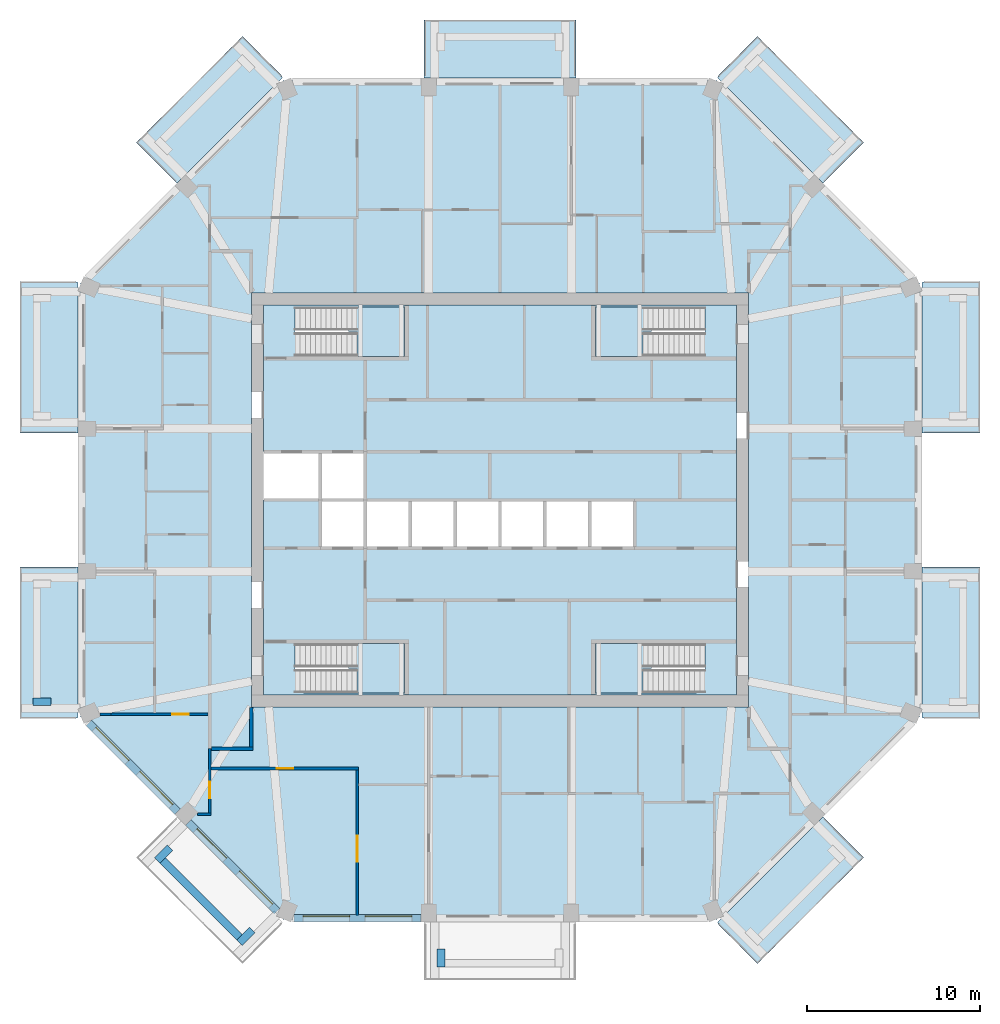
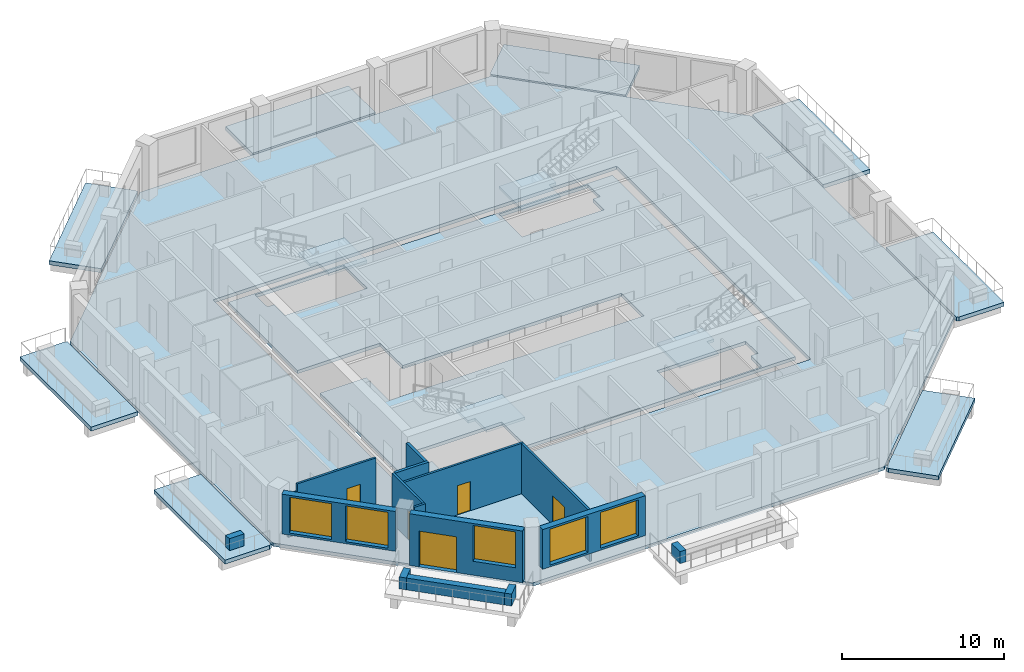
# One storey, part 2 of 12: 16 walls, 14 slabs, 5 doors, 5 windows, 10 openings, 4 elements without a shape of their own.
"""IFC4 building model written with IfcOpenShell, lengths in metres."""

from ifc_helpers import new_model, si_unit, direction, frame, frame_2d, origin, place, context, subcontext, project, spatial, polyline, rectangle, outline, extrude, material, layer, layer_set, type_object, element, fill, aggregate, save


model = new_model("IFC4")

# Units and contexts
model_context = context("Model", 3, precision=1e-05, world=origin(), true_north=direction((0.0, 1.0)))
body_context = subcontext(model_context, "Body", "Model", "MODEL_VIEW")
ifc_project = project(units=[si_unit("LENGTHUNIT", "METRE"), si_unit("AREAUNIT", "SQUARE_METRE"), si_unit("VOLUMEUNIT", "CUBIC_METRE"), si_unit("PLANEANGLEUNIT", "RADIAN"), si_unit("MASSUNIT", "GRAM", prefix="KILO")], contexts=[model_context])

# Site, building, storey
site_placement = place(None, origin())
site = spatial("IfcSite", under=ifc_project, at=site_placement, CompositionType="ELEMENT")
building_placement = place(site_placement, origin())
building = spatial("IfcBuilding", under=site, at=building_placement, Name="Msitu Wima Residences", CompositionType="ELEMENT")
storey_placement = place(building_placement, frame((0.0, 0.0, 200.10009765625)))
storey = spatial("IfcBuildingStorey", under=building, at=storey_placement, Name="L46", CompositionType="ELEMENT", Elevation=200.10009765625)

# Slabs
ifc_material_1 = material(Name="Concrete C40/50", Category="concrete")
ifc_layer_1 = layer(ifc_material_1, 0.300048828125)
ifc_layer_set_1 = layer_set([ifc_layer_1], Name="Concrete C40/50")
slab_type_1 = type_object("IfcSlabType", Name="Balcony slab BS300", PredefinedType="FLOOR", material=ifc_layer_set_1)
slab_1_placement = place(storey_placement, frame((0.0, 0.0, -0.300048828125)))
element("IfcSlab", 1, at=slab_1_placement, inside=storey, type_object=slab_type_1, Name="Balcony E0 L46", PredefinedType="FLOOR", context=body_context, shape_type="SweptSolid", body=[
    extrude(outline(polyline([(24.449951171875, -12.111083984375), (24.449951171875, -12.111083984375), (24.449951171875, -4.587158203125), (24.449951171875, -4.587158203125), (24.449951171875, -3.88720703125), (27.800048828125, -3.88720703125), (27.800048828125, -12.661865234375), (24.603515625, -12.661865234375), (24.449951171875, -12.59814453125), (24.449951171875, -12.111083984375), (24.449951171875, -12.111083984375)])), origin(), (0.0, 0.0, 1.0), 0.300048828125),
])
slab_2_placement = place(storey_placement, frame((0.0, 0.0, -0.300048828125)))
element("IfcSlab", 2, at=slab_2_placement, inside=storey, type_object=slab_type_1, Name="Balcony E2 L46", PredefinedType="FLOOR", context=body_context, shape_type="SweptSolid", body=[
    extrude(outline(polyline([(24.449951171875, 12.111083984375), (24.449951171875, 12.111083984375), (24.449951171875, 12.111083984375), (24.449951171875, 12.59814453125), (24.603515625, 12.661865234375), (27.800048828125, 12.661865234375), (27.800048828125, 3.88720703125), (24.449951171875, 3.88720703125), (24.449951171875, 4.587158203125), (24.449951171875, 12.111083984375)])), origin(), (0.0, 0.0, 1.0), 0.300048828125),
])
slab_3_placement = place(storey_placement, frame((0.0, 0.0, -0.300048828125)))
element("IfcSlab", 3, at=slab_3_placement, inside=storey, type_object=slab_type_1, Name="Balcony NE1 L46", PredefinedType="FLOOR", context=body_context, shape_type="SweptSolid", body=[
    extrude(outline(polyline([(12.942626953125, 24.10546875), (12.942626953125, 24.10546875), (12.59814453125, 24.449951171875), (12.661865234375, 24.603515625), (14.922119140625, 26.86376953125), (21.069580078125, 20.716064453125), (18.700927734375, 18.347412109375), (12.942626953125, 24.10546875), (12.942626953125, 24.10546875)])), origin(), (0.0, 0.0, 1.0), 0.300048828125),
])
slab_4_placement = place(storey_placement, frame((0.0, 0.0, -0.300048828125)))
element("IfcSlab", 4, at=slab_4_placement, inside=storey, type_object=slab_type_1, Name="Balcony N1 L46", PredefinedType="FLOOR", context=body_context, shape_type="SweptSolid", body=[
    extrude(outline(polyline([(3.687255859375, 24.449951171875), (-3.687255859375, 24.449951171875), (-4.38720703125, 24.449951171875), (-4.38720703125, 27.800048828125), (4.38720703125, 27.800048828125), (4.38720703125, 24.449951171875), (3.687255859375, 24.449951171875)])), origin(), (0.0, 0.0, 1.0), 0.300048828125),
])
slab_5_placement = place(storey_placement, frame((0.0, 0.0, -0.300048828125)))
element("IfcSlab", 5, at=slab_5_placement, inside=storey, type_object=slab_type_1, Name="Balcony NW0 L46", PredefinedType="FLOOR", context=body_context, shape_type="SweptSolid", body=[
    extrude(outline(polyline([(-12.942626953125, 24.10546875), (-12.942626953125, 24.10546875), (-18.700927734375, 18.347412109375), (-21.069580078125, 20.716064453125), (-14.922119140625, 26.86376953125), (-12.661865234375, 24.603515625), (-12.59814453125, 24.449951171875), (-12.942626953125, 24.10546875), (-12.942626953125, 24.10546875)])), origin(), (0.0, 0.0, 1.0), 0.300048828125),
])
slab_6_placement = place(storey_placement, frame((0.0, 0.0, -0.300048828125)))
element("IfcSlab", 6, at=slab_6_placement, inside=storey, type_object=slab_type_1, Name="Balcony W0 L46", PredefinedType="FLOOR", context=body_context, shape_type="SweptSolid", body=[
    extrude(outline(polyline([(-24.449951171875, 12.111083984375), (-24.449951171875, 12.111083984375), (-24.449951171875, 4.587158203125), (-24.449951171875, 3.88720703125), (-27.800048828125, 3.88720703125), (-27.800048828125, 12.661865234375), (-24.603515625, 12.661865234375), (-24.449951171875, 12.59814453125), (-24.449951171875, 12.111083984375), (-24.449951171875, 12.111083984375)])), origin(), (0.0, 0.0, 1.0), 0.300048828125),
])
slab_7_placement = place(storey_placement, frame((0.0, 0.0, -0.300048828125)))
element("IfcSlab", 7, at=slab_7_placement, inside=storey, type_object=slab_type_1, Name="Balcony W2 L46", PredefinedType="FLOOR", context=body_context, shape_type="SweptSolid", body=[
    extrude(outline(polyline([(-24.449951171875, -12.111083984375), (-24.449951171875, -12.111083984375), (-24.449951171875, -12.59814453125), (-24.603515625, -12.661865234375), (-27.800048828125, -12.661865234375), (-27.800048828125, -3.88720703125), (-24.449951171875, -3.88720703125), (-24.449951171875, -4.587158203125), (-24.449951171875, -4.587158203125), (-24.449951171875, -12.111083984375), (-24.449951171875, -12.111083984375)])), origin(), (0.0, 0.0, 1.0), 0.300048828125),
])
slab_8_placement = place(storey_placement, frame((0.0, 0.0, -0.300048828125)))
element("IfcSlab", 8, at=slab_8_placement, inside=storey, type_object=slab_type_1, Name="Balcony SE0 L46", PredefinedType="FLOOR", context=body_context, shape_type="SweptSolid", body=[
    extrude(outline(polyline([(12.942626953125, -24.10546875), (12.942626953125, -24.10546875), (18.700927734375, -18.347412109375), (21.069580078125, -20.716064453125), (14.922119140625, -26.86376953125), (12.661865234375, -24.603515625), (12.59814453125, -24.449951171875), (12.942626953125, -24.10546875), (12.942626953125, -24.10546875)])), origin(), (0.0, 0.0, 1.0), 0.300048828125),
])
ifc_layer_2 = layer(ifc_material_1, 0.25)
ifc_layer_set_2 = layer_set([ifc_layer_2], Name="Concrete C40/50")
slab_type_2 = type_object("IfcSlabType", Name="Core floor CF250", PredefinedType="FLOOR", material=ifc_layer_set_2)
slab_9_placement = place(storey_placement, frame((0.0, 0.0, -0.25)))
element("IfcSlab", 9, at=slab_9_placement, inside=storey, type_object=slab_type_2, Name="Core floor", PredefinedType="FLOOR", context=body_context, shape_type="SweptSolid", body=[
    extrude(outline(polyline([(-13.699951171875, 11.300048828125), (-13.699951171875, 2.800048828125), (-10.39990234375, 2.800048828125), (-7.800048828125, 2.800048828125), (-7.800048828125, 0.0), (-5.199951171875, 0.0), (-2.60009765625, 0.0), (0.0, 0.0), (2.60009765625, 0.0), (5.199951171875, 0.0), (7.800048828125, 0.0), (7.800048828125, -2.800048828125), (5.199951171875, -2.800048828125), (2.60009765625, -2.800048828125), (0.0, -2.800048828125), (-2.60009765625, -2.800048828125), (-5.199951171875, -2.800048828125), (-7.800048828125, -2.800048828125), (-10.39990234375, -2.800048828125), (-10.39990234375, 0.0), (-13.699951171875, 0.0), (-13.699951171875, -11.300048828125), (13.699951171875, -11.300048828125), (13.699951171875, 11.300048828125), (-13.699951171875, 11.300048828125)]), holes=[polyline([(-11.375, -11.175048828125), (-11.375, -9.824951171875), (-11.87451171875, -9.824951171875), (-11.87451171875, -8.324951171875), (-5.52490234375, -8.324951171875), (-5.52490234375, -11.175048828125), (-11.375, -11.175048828125)]), polyline([(-11.375, 8.324951171875), (-11.375, 9.675048828125), (-11.87451171875, 9.675048828125), (-11.87451171875, 11.175048828125), (-5.52490234375, 11.175048828125), (-5.52490234375, 8.324951171875), (-11.375, 8.324951171875)]), polyline([(11.375, -9.824951171875), (11.375, -11.175048828125), (5.52490234375, -11.175048828125), (5.52490234375, -8.324951171875), (11.87451171875, -8.324951171875), (11.87451171875, -9.824951171875), (11.375, -9.824951171875)]), polyline([(11.375, 9.675048828125), (11.375, 8.324951171875), (5.52490234375, 8.324951171875), (5.52490234375, 11.175048828125), (11.87451171875, 11.175048828125), (11.87451171875, 9.675048828125), (11.375, 9.675048828125)])]), origin(), (0.0, 0.0, 1.0), 0.25),
])
ifc_layer_3 = layer(ifc_material_1, 0.25)
ifc_layer_set_3 = layer_set([ifc_layer_3], Name="Concrete C40/50")
slab_type_3 = type_object("IfcSlabType", Name="PT flat slab 250 Concrete C40/50", PredefinedType="FLOOR", material=ifc_layer_set_3)
slab_10_placement = place(storey_placement, frame((0.0, 0.0, -0.25)))
element("IfcSlab", 10, at=slab_10_placement, inside=storey, type_object=slab_type_3, Name="Floor slab L46", PredefinedType="FLOOR", context=body_context, shape_type="SweptSolid", body=[
    extrude(outline(polyline([(24.300048828125, -12.5361328125), (12.5361328125, -24.300048828125), (-12.5361328125, -24.300048828125), (-24.300048828125, -12.5361328125), (-24.300048828125, 12.5361328125), (-12.5361328125, 24.300048828125), (12.5361328125, 24.300048828125), (24.300048828125, 12.5361328125), (24.300048828125, -12.5361328125)]), holes=[polyline([(-14.39990234375, -12.0), (14.39990234375, -12.0), (14.39990234375, 12.0), (-14.39990234375, 12.0), (-14.39990234375, -12.0)])]), origin(), (0.0, 0.0, 1.0), 0.25),
])

# Stair, slab
stair_type = type_object("IfcStairType", Name="Exit stair ES1615-135", PredefinedType="HALF_TURN_STAIR", material=ifc_material_1)
stair_1_placement = place(storey_placement, origin())
stair_1 = element("IfcStair", 11, at=stair_1_placement, inside=storey, type_object=stair_type, Name="Exit stair 1", PredefinedType="HALF_TURN_STAIR")
ifc_layer_4 = layer(ifc_material_1, 0.199951171875)
ifc_layer_set_4 = layer_set([ifc_layer_4], Name="Concrete C40/50")
slab_type_4 = type_object("IfcSlabType", Name="Stair landing SL200", PredefinedType="LANDING", material=ifc_layer_set_4)
slab_11_placement = place(storey_placement, frame((0.0, 0.0, 1.89990234375)))
slab_11 = element("IfcSlab", 12, at=slab_11_placement, type_object=slab_type_4, Name="S1 landing 1", PredefinedType="LANDING", context=body_context, shape_type="SweptSolid", body=[
    extrude(outline(polyline([(-5.52490234375, 8.324951171875), (-8.275390625, 8.324951171875), (-8.275390625, 9.75), (-8.77490234375, 9.75), (-8.77490234375, 11.175048828125), (-5.52490234375, 11.175048828125), (-5.52490234375, 8.324951171875)])), origin(), (0.0, 0.0, 1.0), 0.199951171875),
])
aggregate(stair_1, [slab_11])

stair_2_placement = place(storey_placement, origin())
stair_2 = element("IfcStair", 13, at=stair_2_placement, inside=storey, type_object=stair_type, Name="Exit stair 2", PredefinedType="HALF_TURN_STAIR")
slab_12_placement = place(storey_placement, frame((0.0, 0.0, 1.89990234375)))
slab_12 = element("IfcSlab", 14, at=slab_12_placement, type_object=slab_type_4, Name="S2 landing 1", PredefinedType="LANDING", context=body_context, shape_type="SweptSolid", body=[
    extrude(outline(polyline([(-5.52490234375, -11.175048828125), (-8.275390625, -11.175048828125), (-8.275390625, -9.75), (-8.77490234375, -9.75), (-8.77490234375, -8.324951171875), (-5.52490234375, -8.324951171875), (-5.52490234375, -11.175048828125)])), origin(), (0.0, 0.0, 1.0), 0.199951171875),
])
aggregate(stair_2, [slab_12])

stair_3_placement = place(storey_placement, origin())
stair_3 = element("IfcStair", 15, at=stair_3_placement, inside=storey, type_object=stair_type, Name="Exit stair 3", PredefinedType="HALF_TURN_STAIR")
slab_13_placement = place(storey_placement, frame((0.0, 0.0, 1.89990234375)))
slab_13 = element("IfcSlab", 16, at=slab_13_placement, type_object=slab_type_4, Name="S3 landing 1", PredefinedType="LANDING", context=body_context, shape_type="SweptSolid", body=[
    extrude(outline(polyline([(5.52490234375, 8.324951171875), (8.275390625, 8.324951171875), (8.275390625, 9.75), (8.77490234375, 9.75), (8.77490234375, 11.175048828125), (5.52490234375, 11.175048828125), (5.52490234375, 8.324951171875)])), origin(), (0.0, 0.0, 1.0), 0.199951171875),
])
aggregate(stair_3, [slab_13])

stair_4_placement = place(storey_placement, origin())
stair_4 = element("IfcStair", 17, at=stair_4_placement, inside=storey, type_object=stair_type, Name="Exit stair 4", PredefinedType="HALF_TURN_STAIR")
slab_14_placement = place(storey_placement, frame((0.0, 0.0, 1.89990234375)))
slab_14 = element("IfcSlab", 18, at=slab_14_placement, type_object=slab_type_4, Name="S4 landing 1", PredefinedType="LANDING", context=body_context, shape_type="SweptSolid", body=[
    extrude(outline(polyline([(5.52490234375, -11.175048828125), (8.275390625, -11.175048828125), (8.275390625, -9.75), (8.77490234375, -9.75), (8.77490234375, -8.324951171875), (5.52490234375, -8.324951171875), (5.52490234375, -11.175048828125)])), origin(), (0.0, 0.0, 1.0), 0.199951171875),
])
aggregate(stair_4, [slab_14])

# Walls
ifc_material_2 = material(Name="Facing brick")
ifc_layer_5 = layer(ifc_material_2, 0.06494140625, Name="Facing brick")
ifc_layer_6 = layer(ifc_material_1, 0.156005859375, Name="Concrete C40/50")
ifc_material_3 = material(Name="Waterproofing membrane")
ifc_layer_7 = layer(ifc_material_3, 0.00390625, Name="Waterproofing membrane")
ifc_material_4 = material(Name="Planting soil and planting")
ifc_layer_8 = layer(ifc_material_4, 0.22509765625, Name="Planting soil and planting")
ifc_layer_set_5 = layer_set([ifc_layer_5, ifc_layer_6, ifc_layer_7, ifc_layer_8], Name="Concrete C40/50")
wall_type_1 = type_object("IfcWallType", Name="Balcony planter PLANTER PL450", PredefinedType="USERDEFINED", material=ifc_layer_set_5)
wall_1_placement = place(storey_placement, frame((-26.0, -11.686767578125, 0.0), z_axis=(0.0, 0.0, 1.0), x_axis=(-1.0, 0.0, 0.0)))
element("IfcWall", 19, at=wall_1_placement, inside=storey, type_object=wall_type_1, Name="Balcony planter W2 L46", ObjectType="PLANTER", PredefinedType="USERDEFINED", context=body_context, shape_type="SweptSolid", body=[
    extrude(rectangle(XDim=1.050048828125, YDim=0.449951171875, at=frame_2d((0.52490234375, 0.0))), origin(), (0.0, 0.0, 1.0), 0.89990234375),
])
wall_2_placement = place(storey_placement, frame((-19.53173828125, -20.875244140625, 0.0), z_axis=(0.0, 0.0, 1.0), x_axis=(0.707106781187, -0.707106781187, 0.0)))
element("IfcWall", 20, at=wall_2_placement, inside=storey, type_object=wall_type_1, Name="Balcony planter SW1 L46", ObjectType="PLANTER", PredefinedType="USERDEFINED", context=body_context, shape_type="SweptSolid", body=[
    extrude(rectangle(XDim=6.294189453125, YDim=0.449951171875, at=frame_2d((3.14697265625, 0.0))), origin(), (0.0, 0.0, 1.0), 0.89990234375),
])
for number, where, z_axis, x_axis, name in (
    (21, (-19.107421875, -20.1328125, 0.0), (0.0, 0.0, 1.0), (-0.707106781187, -0.707106781187, 0.0), "Balcony planter SW1 L46"),
    (22, (-14.338623046875, -24.901611328125, 0.0), (0.0, 0.0, 1.0), (-0.707106781187, -0.707106781187, 0.0), "Balcony planter SW1 L46"),
    (23, (-3.412353515625, -26.0, 0.0), (0.0, 0.0, 1.0), (0.0, -1.0, 0.0), "Balcony planter S1 L46"),
):
    element("IfcWall", number, at=place(storey_placement, frame(where, z_axis=z_axis, x_axis=x_axis)), inside=storey, type_object=wall_type_1, Name=name, ObjectType="PLANTER", PredefinedType="USERDEFINED", context=body_context, shape_type="SweptSolid", body=[
        extrude(rectangle(XDim=1.050048828125, YDim=0.449951171875, at=frame_2d((0.52490234375, 0.0))), origin(), (0.0, 0.0, 1.0), 0.89990234375),
    ])

# Wall, openings, windows
ifc_material_5 = material(Name="Brick (red buff mix)", Category="masonry")
ifc_layer_9 = layer(ifc_material_5, 0.449951171875)
ifc_layer_set_6 = layer_set([ifc_layer_9], Name="Brick (red buff mix)")
wall_type_2 = type_object("IfcWallType", Name="Brick infill wall BW450", PredefinedType="SOLIDWALL", material=ifc_layer_set_6)
wall_3_placement = place(storey_placement, frame((-23.814697265625, -12.915283203125, 0.89990234375), z_axis=(0.0, 0.0, 1.0), x_axis=(0.707106781187, -0.707106781187, 0.0)))
wall_3 = element("IfcWall", 24, at=wall_3_placement, inside=storey, type_object=wall_type_2, Name="Brick infill wall L46 SW0", PredefinedType="SOLIDWALL", context=body_context, shape_type="SweptSolid", body=[
    extrude(rectangle(XDim=7.257080078125, YDim=0.449951171875, at=frame_2d((3.62841796875, 0.0))), origin(), (0.0, 0.0, 1.0), 3.0),
])
opening_1_placement = place(wall_3_placement, frame((0.478515625, 0.0, 0.14990234375)))
opening_1 = element("IfcOpeningElement", 25, at=opening_1_placement, cuts=wall_3, Name="Opening W46.024", PredefinedType="OPENING", context=body_context, shape_type="SweptSolid", body=[
    extrude(rectangle(XDim=2.699951171875, YDim=2.699951171875, at=frame_2d((1.35009765625, 1.35009765625))), frame((0.0, 0.23486328125, 0.0), z_axis=(0.0, -1.0, 0.0), x_axis=(1.0, 0.0, 0.0)), (0.0, 0.0, 1.0), 0.469970703125),
])
opening_2_placement = place(wall_3_placement, frame((4.07861328125, 0.0, 0.14990234375)))
opening_2 = element("IfcOpeningElement", 26, at=opening_2_placement, cuts=wall_3, Name="Opening W46.025", PredefinedType="OPENING", context=body_context, shape_type="SweptSolid", body=[
    extrude(rectangle(XDim=2.699951171875, YDim=2.699951171875, at=frame_2d((1.35009765625, 1.35009765625))), frame((0.0, 0.23486328125, 0.0), z_axis=(0.0, -1.0, 0.0), x_axis=(1.0, 0.0, 0.0)), (0.0, 0.0, 1.0), 0.469970703125),
])
ifc_material_6 = material(Name="Anodised aluminium, bronze finish, clear low-emissivity double glazing", Category="aluminium")
window_type = type_object("IfcWindowType", Name="Window W2700x2700", PartitioningType="DOUBLE_PANEL_VERTICAL", PredefinedType="WINDOW", material=ifc_material_6)
window_1_placement = place(opening_1_placement, origin())
window_1 = element("IfcWindow", 27, at=window_1_placement, inside=storey, type_object=window_type, Name="Window L46 SW0.1", OverallHeight=2.699951171875, OverallWidth=2.699951171875, PartitioningType="SINGLE_PANEL", PredefinedType="WINDOW", context=body_context, shape_type="SweptSolid", body=[
    extrude(rectangle(XDim=2.699951171875, YDim=2.699951171875, at=frame_2d((1.35009765625, 1.35009765625))), frame((0.0, 0.135009765625, 0.0), z_axis=(0.0, -1.0, 0.0), x_axis=(1.0, 0.0, 0.0)), (0.0, 0.0, 1.0), 0.06005859375),
])
fill(opening_1, window_1)
window_2_placement = place(opening_2_placement, origin())
window_2 = element("IfcWindow", 28, at=window_2_placement, inside=storey, type_object=window_type, Name="Window L46 SW0.2", OverallHeight=2.699951171875, OverallWidth=2.699951171875, PartitioningType="SINGLE_PANEL", PredefinedType="WINDOW", context=body_context, shape_type="SweptSolid", body=[
    extrude(rectangle(XDim=2.699951171875, YDim=2.699951171875, at=frame_2d((1.35009765625, 1.35009765625))), frame((0.0, 0.135009765625, 0.0), z_axis=(0.0, -1.0, 0.0), x_axis=(1.0, 0.0, 0.0)), (0.0, 0.0, 1.0), 0.06005859375),
])
fill(opening_2, window_2)

# Wall, openings, door, window
wall_4_placement = place(storey_placement, frame((-18.046875, -18.68310546875, 0.0), z_axis=(0.0, 0.0, 1.0), x_axis=(0.707106781187, -0.707106781187, 0.0)))
wall_4 = element("IfcWall", 29, at=wall_4_placement, inside=storey, type_object=wall_type_2, Name="Brick infill wall L46 SW1", PredefinedType="SOLIDWALL", context=body_context, shape_type="SweptSolid", body=[
    extrude(rectangle(XDim=7.257080078125, YDim=0.449951171875, at=frame_2d((3.62841796875, 0.0))), origin(), (0.0, 0.0, 1.0), 3.89990234375),
])
opening_3_placement = place(wall_4_placement, frame((0.6142578125, 0.0, 0.0)))
opening_3 = element("IfcOpeningElement", 30, at=opening_3_placement, cuts=wall_4, Name="Opening D46.008", PredefinedType="OPENING", context=body_context, shape_type="SweptSolid", body=[
    extrude(rectangle(XDim=2.39990234375, YDim=2.699951171875, at=frame_2d((1.199951171875, 1.35009765625))), frame((0.0, 0.23486328125, 0.0), z_axis=(0.0, -1.0, 0.0), x_axis=(1.0, 0.0, 0.0)), (0.0, 0.0, 1.0), 0.469970703125),
])
opening_4_placement = place(wall_4_placement, frame((4.07861328125, 0.0, 1.050048828125)))
opening_4 = element("IfcOpeningElement", 31, at=opening_4_placement, cuts=wall_4, Name="Opening W46.026", PredefinedType="OPENING", context=body_context, shape_type="SweptSolid", body=[
    extrude(rectangle(XDim=2.699951171875, YDim=2.699951171875, at=frame_2d((1.35009765625, 1.35009765625))), frame((0.0, 0.23486328125, 0.0), z_axis=(0.0, -1.0, 0.0), x_axis=(1.0, 0.0, 0.0)), (0.0, 0.0, 1.0), 0.469970703125),
])
door_type_1 = type_object("IfcDoorType", Name="Balcony door D2400x2700", OperationType="SLIDING_TO_LEFT", PredefinedType="DOOR", material=ifc_material_6)
door_1_placement = place(opening_3_placement, origin())
door_1 = element("IfcDoor", 32, at=door_1_placement, inside=storey, type_object=door_type_1, Name="Balcony door L46 SW1", OperationType="SINGLE_SWING_LEFT", OverallHeight=2.699951171875, OverallWidth=2.39990234375, PredefinedType="DOOR", context=body_context, shape_type="SweptSolid", body=[
    extrude(rectangle(XDim=2.39990234375, YDim=2.699951171875, at=frame_2d((1.199951171875, 1.35009765625))), frame((0.0, 0.1298828125, 0.0), z_axis=(0.0, -1.0, 0.0), x_axis=(1.0, 0.0, 0.0)), (0.0, 0.0, 1.0), 0.050048828125),
])
fill(opening_3, door_1)
window_3_placement = place(opening_4_placement, origin())
window_3 = element("IfcWindow", 33, at=window_3_placement, inside=storey, type_object=window_type, Name="Window L46 SW1.2", OverallHeight=2.699951171875, OverallWidth=2.699951171875, PartitioningType="SINGLE_PANEL", PredefinedType="WINDOW", context=body_context, shape_type="SweptSolid", body=[
    extrude(rectangle(XDim=2.699951171875, YDim=2.699951171875, at=frame_2d((1.35009765625, 1.35009765625))), frame((0.0, 0.135009765625, 0.0), z_axis=(0.0, -1.0, 0.0), x_axis=(1.0, 0.0, 0.0)), (0.0, 0.0, 1.0), 0.06005859375),
])
fill(opening_4, window_3)

# Wall, openings, windows
wall_5_placement = place(storey_placement, frame((-11.9248046875, -24.22509765625, 0.89990234375), z_axis=(0.0, 0.0, 1.0), x_axis=(1.0, 0.0, 0.0)))
wall_5 = element("IfcWall", 34, at=wall_5_placement, inside=storey, type_object=wall_type_2, Name="Brick infill wall L46 S0", PredefinedType="SOLIDWALL", context=body_context, shape_type="SweptSolid", body=[
    extrude(rectangle(XDim=7.337646484375, YDim=0.449951171875, at=frame_2d((3.6689453125, 0.0))), origin(), (0.0, 0.0, 1.0), 3.0),
])
opening_5_placement = place(wall_5_placement, frame((0.518798828125, 0.0, 0.14990234375)))
opening_5 = element("IfcOpeningElement", 35, at=opening_5_placement, cuts=wall_5, Name="Opening W46.016", PredefinedType="OPENING", context=body_context, shape_type="SweptSolid", body=[
    extrude(rectangle(XDim=2.699951171875, YDim=2.699951171875, at=frame_2d((1.35009765625, 1.35009765625))), frame((0.0, 0.23486328125, 0.0), z_axis=(0.0, -1.0, 0.0), x_axis=(1.0, 0.0, 0.0)), (0.0, 0.0, 1.0), 0.469970703125),
])
opening_6_placement = place(wall_5_placement, frame((4.11865234375, 0.0, 0.14990234375)))
opening_6 = element("IfcOpeningElement", 36, at=opening_6_placement, cuts=wall_5, Name="Opening W46.017", PredefinedType="OPENING", context=body_context, shape_type="SweptSolid", body=[
    extrude(rectangle(XDim=2.699951171875, YDim=2.699951171875, at=frame_2d((1.35009765625, 1.35009765625))), frame((0.0, 0.23486328125, 0.0), z_axis=(0.0, -1.0, 0.0), x_axis=(1.0, 0.0, 0.0)), (0.0, 0.0, 1.0), 0.469970703125),
])
window_4_placement = place(opening_5_placement, origin())
window_4 = element("IfcWindow", 37, at=window_4_placement, inside=storey, type_object=window_type, Name="Window L46 S0.1", OverallHeight=2.699951171875, OverallWidth=2.699951171875, PartitioningType="SINGLE_PANEL", PredefinedType="WINDOW", context=body_context, shape_type="SweptSolid", body=[
    extrude(rectangle(XDim=2.699951171875, YDim=2.699951171875, at=frame_2d((1.35009765625, 1.35009765625))), frame((0.0, 0.135009765625, 0.0), z_axis=(0.0, -1.0, 0.0), x_axis=(1.0, 0.0, 0.0)), (0.0, 0.0, 1.0), 0.06005859375),
])
fill(opening_5, window_4)
window_5_placement = place(opening_6_placement, origin())
window_5 = element("IfcWindow", 38, at=window_5_placement, inside=storey, type_object=window_type, Name="Window L46 S0.2", OverallHeight=2.699951171875, OverallWidth=2.699951171875, PartitioningType="SINGLE_PANEL", PredefinedType="WINDOW", context=body_context, shape_type="SweptSolid", body=[
    extrude(rectangle(XDim=2.699951171875, YDim=2.699951171875, at=frame_2d((1.35009765625, 1.35009765625))), frame((0.0, 0.135009765625, 0.0), z_axis=(0.0, -1.0, 0.0), x_axis=(1.0, 0.0, 0.0)), (0.0, 0.0, 1.0), 0.06005859375),
])
fill(opening_6, window_5)

# Walls
ifc_material_7 = material(Name="Plaster")
ifc_layer_10 = layer(ifc_material_7, 0.011962890625, Name="Plaster")
ifc_material_8 = material(Name="Concrete blockwork", Category="masonry")
ifc_layer_11 = layer(ifc_material_8, 0.176025390625, Name="Concrete blockwork")
ifc_layer_12 = layer(ifc_material_7, 0.011962890625, Name="Plaster")
ifc_layer_set_7 = layer_set([ifc_layer_10, ifc_layer_11, ifc_layer_12], Name="Concrete blockwork")
wall_type_3 = type_object("IfcWallType", Name="Corridor wall FW200", PredefinedType="PARTITIONING", material=ifc_layer_set_7)
wall_6_placement = place(storey_placement, frame((-16.699951171875, -14.39990234375, 0.0), z_axis=(0.0, 0.0, 1.0), x_axis=(1.0, 0.0, 0.0)))
element("IfcWall", 39, at=wall_6_placement, inside=storey, type_object=wall_type_3, Name="Corridor wall", PredefinedType="PARTITIONING", context=body_context, shape_type="SweptSolid", body=[
    extrude(rectangle(XDim=2.39990234375, YDim=0.199951171875, at=frame_2d((1.199951171875, 0.0))), origin(), (0.0, 0.0, 1.0), 3.7978515625),
])
wall_7_placement = place(storey_placement, frame((-14.39990234375, -14.300048828125, 0.0), z_axis=(0.0, 0.0, 1.0), x_axis=(0.0, 1.0, 0.0)))
element("IfcWall", 40, at=wall_7_placement, inside=storey, type_object=wall_type_3, Name="Corridor wall", PredefinedType="PARTITIONING", context=body_context, shape_type="SweptSolid", body=[
    extrude(rectangle(XDim=2.27001953125, YDim=0.199951171875, at=frame_2d((1.135009765625, 0.0))), origin(), (0.0, 0.0, 1.0), 3.7978515625),
])
ifc_layer_13 = layer(ifc_material_7, 0.011962890625, Name="Plaster")
ifc_layer_14 = layer(ifc_material_8, 0.1259765625, Name="Concrete blockwork")
ifc_layer_15 = layer(ifc_material_7, 0.011962890625, Name="Plaster")
ifc_layer_set_8 = layer_set([ifc_layer_13, ifc_layer_14, ifc_layer_15], Name="Concrete blockwork")
wall_type_4 = type_object("IfcWallType", Name="Partition PW150", PredefinedType="PARTITIONING", material=ifc_layer_set_8)
wall_8_placement = place(storey_placement, frame((-23.169677734375, -12.409912109375, 0.0), z_axis=(0.0, 0.0, 1.0), x_axis=(1.0, 0.0, 0.0)))
element("IfcWall", 41, at=wall_8_placement, inside=storey, type_object=wall_type_4, Name="Partition", PredefinedType="PARTITIONING", context=body_context, shape_type="SweptSolid", body=[
    extrude(rectangle(XDim=0.640380859375, YDim=0.14990234375, at=frame_2d((0.3203125, 0.0))), origin(), (0.0, 0.0, 1.0), 3.199951171875),
])

# Wall, opening, door
wall_9_placement = place(storey_placement, frame((-22.529296875, -12.409912109375, 0.0), z_axis=(0.0, 0.0, 1.0), x_axis=(1.0, 0.0, 0.0)))
wall_9 = element("IfcWall", 42, at=wall_9_placement, inside=storey, type_object=wall_type_4, Name="Partition", PredefinedType="PARTITIONING", context=body_context, shape_type="SweptSolid", body=[
    extrude(rectangle(XDim=5.62939453125, YDim=0.14990234375, at=frame_2d((2.814697265625, 0.0))), origin(), (0.0, 0.0, 1.0), 3.7978515625),
])
opening_7_placement = place(wall_9_placement, frame((3.5595703125, 0.0, 0.0)))
opening_7 = element("IfcOpeningElement", 43, at=opening_7_placement, cuts=wall_9, Name="Opening D46.025", PredefinedType="OPENING", context=body_context, shape_type="SweptSolid", body=[
    extrude(rectangle(XDim=0.949951171875, YDim=2.199951171875, at=frame_2d((0.47509765625, 1.10009765625))), frame((0.0, 0.0849609375, 0.0), z_axis=(0.0, -1.0, 0.0), x_axis=(1.0, 0.0, 0.0)), (0.0, 0.0, 1.0), 0.169921875),
])
ifc_material_9 = material(Name="Timber flush door", Category="wood")
door_type_2 = type_object("IfcDoorType", Name="Room door D12 950x2200", OperationType="SINGLE_SWING_LEFT", PredefinedType="DOOR", material=ifc_material_9)
door_2_placement = place(opening_7_placement, origin())
door_2 = element("IfcDoor", 44, at=door_2_placement, inside=storey, type_object=door_type_2, Name="Room door", OperationType="SINGLE_SWING_LEFT", OverallHeight=2.199951171875, OverallWidth=0.949951171875, PredefinedType="DOOR", context=body_context, shape_type="SweptSolid", body=[
    extrude(rectangle(XDim=0.949951171875, YDim=2.199951171875, at=frame_2d((0.47509765625, 1.10009765625))), frame((0.0, 0.02490234375, 0.0), z_axis=(0.0, -1.0, 0.0), x_axis=(1.0, 0.0, 0.0)), (0.0, 0.0, 1.0), 0.050048828125),
])
fill(opening_7, door_2)

# Wall
wall_10_placement = place(storey_placement, frame((-17.509521484375, -18.205810546875, 0.0), z_axis=(0.0, 0.0, 1.0), x_axis=(1.0, 0.0, 0.0)))
element("IfcWall", 45, at=wall_10_placement, inside=storey, type_object=wall_type_4, Name="Partition", PredefinedType="PARTITIONING", context=body_context, shape_type="SweptSolid", body=[
    extrude(rectangle(XDim=0.784423828125, YDim=0.14990234375, at=frame_2d((0.39208984375, 0.0))), origin(), (0.0, 0.0, 1.0), 3.7978515625),
])

# Wall, opening, door
wall_11_placement = place(storey_placement, frame((-16.800048828125, -18.130859375, 0.0), z_axis=(0.0, 0.0, 1.0), x_axis=(0.0, 1.0, 0.0)))
wall_11 = element("IfcWall", 46, at=wall_11_placement, inside=storey, type_object=wall_type_4, Name="Partition", PredefinedType="PARTITIONING", context=body_context, shape_type="SweptSolid", body=[
    extrude(rectangle(XDim=3.73095703125, YDim=0.14990234375, at=frame_2d((1.865478515625, 0.0))), origin(), (0.0, 0.0, 1.0), 3.7978515625),
])
opening_8_placement = place(wall_11_placement, frame((0.85009765625, 0.0, 0.0)))
opening_8 = element("IfcOpeningElement", 47, at=opening_8_placement, cuts=wall_11, Name="Opening D46.044", PredefinedType="OPENING", context=body_context, shape_type="SweptSolid", body=[
    extrude(rectangle(XDim=0.949951171875, YDim=2.199951171875, at=frame_2d((0.47509765625, 1.10009765625))), frame((0.0, 0.0849609375, 0.0), z_axis=(0.0, -1.0, 0.0), x_axis=(1.0, 0.0, 0.0)), (0.0, 0.0, 1.0), 0.169921875),
])
door_3_placement = place(opening_8_placement, origin())
door_3 = element("IfcDoor", 48, at=door_3_placement, inside=storey, type_object=door_type_2, Name="Room door", OperationType="SINGLE_SWING_LEFT", OverallHeight=2.199951171875, OverallWidth=0.949951171875, PredefinedType="DOOR", context=body_context, shape_type="SweptSolid", body=[
    extrude(rectangle(XDim=0.949951171875, YDim=2.199951171875, at=frame_2d((0.47509765625, 1.10009765625))), frame((0.0, 0.02490234375, 0.0), z_axis=(0.0, -1.0, 0.0), x_axis=(1.0, 0.0, 0.0)), (0.0, 0.0, 1.0), 0.050048828125),
])
fill(opening_8, door_3)

wall_12_placement = place(storey_placement, frame((-16.72509765625, -15.550048828125, 0.0), z_axis=(0.0, 0.0, 1.0), x_axis=(1.0, 0.0, 0.0)))
wall_12 = element("IfcWall", 49, at=wall_12_placement, inside=storey, type_object=wall_type_4, Name="Partition", PredefinedType="PARTITIONING", context=body_context, shape_type="SweptSolid", body=[
    extrude(rectangle(XDim=8.525634765625, YDim=0.14990234375, at=frame_2d((4.2626953125, 0.0))), origin(), (0.0, 0.0, 1.0), 3.7978515625),
])
opening_9_placement = place(wall_12_placement, frame((3.800048828125, 0.0, 0.0)))
opening_9 = element("IfcOpeningElement", 50, at=opening_9_placement, cuts=wall_12, Name="Opening D46.030", PredefinedType="OPENING", context=body_context, shape_type="SweptSolid", body=[
    extrude(rectangle(XDim=0.949951171875, YDim=2.199951171875, at=frame_2d((0.47509765625, 1.10009765625))), frame((0.0, 0.0849609375, 0.0), z_axis=(0.0, -1.0, 0.0), x_axis=(1.0, 0.0, 0.0)), (0.0, 0.0, 1.0), 0.169921875),
])
door_4_placement = place(opening_9_placement, origin())
door_4 = element("IfcDoor", 51, at=door_4_placement, inside=storey, type_object=door_type_2, Name="Room door", OperationType="SINGLE_SWING_LEFT", OverallHeight=2.199951171875, OverallWidth=0.949951171875, PredefinedType="DOOR", context=body_context, shape_type="SweptSolid", body=[
    extrude(rectangle(XDim=0.949951171875, YDim=2.199951171875, at=frame_2d((0.47509765625, 1.10009765625))), frame((0.0, 0.02490234375, 0.0), z_axis=(0.0, -1.0, 0.0), x_axis=(1.0, 0.0, 0.0)), (0.0, 0.0, 1.0), 0.050048828125),
])
fill(opening_9, door_4)

wall_13_placement = place(storey_placement, frame((-8.2744140625, -24.054931640625, 0.0), z_axis=(0.0, 0.0, 1.0), x_axis=(0.0, 1.0, 0.0)))
wall_13 = element("IfcWall", 52, at=wall_13_placement, inside=storey, type_object=wall_type_4, Name="Partition", PredefinedType="PARTITIONING", context=body_context, shape_type="SweptSolid", body=[
    extrude(rectangle(XDim=8.429931640625, YDim=0.14990234375, at=frame_2d((4.21484375, 0.0))), origin(), (0.0, 0.0, 1.0), 3.7978515625),
])
opening_10_placement = place(wall_13_placement, frame((3.10009765625, 0.0, 0.0)))
opening_10 = element("IfcOpeningElement", 53, at=opening_10_placement, cuts=wall_13, Name="Opening D46.031", PredefinedType="OPENING", context=body_context, shape_type="SweptSolid", body=[
    extrude(rectangle(XDim=1.5, YDim=2.199951171875, at=frame_2d((0.75, 1.10009765625))), frame((0.0, 0.0849609375, 0.0), z_axis=(0.0, -1.0, 0.0), x_axis=(1.0, 0.0, 0.0)), (0.0, 0.0, 1.0), 0.169921875),
])
ifc_material_10 = material(Name="Timber double door", Category="wood")
door_type_3 = type_object("IfcDoorType", Name="Double door D04 1500x2200", OperationType="DOUBLE_DOOR_SINGLE_SWING", PredefinedType="DOOR", material=ifc_material_10)
door_5_placement = place(opening_10_placement, origin())
door_5 = element("IfcDoor", 54, at=door_5_placement, inside=storey, type_object=door_type_3, Name="Double door", OperationType="DOUBLE_DOOR_SINGLE_SWING", OverallHeight=2.199951171875, OverallWidth=1.5, PredefinedType="DOOR", context=body_context, shape_type="SweptSolid", body=[
    extrude(rectangle(XDim=1.5, YDim=2.199951171875, at=frame_2d((0.75, 1.10009765625))), frame((0.0, 0.02490234375, 0.0), z_axis=(0.0, -1.0, 0.0), x_axis=(1.0, 0.0, 0.0)), (0.0, 0.0, 1.0), 0.050048828125),
])
fill(opening_10, door_5)

save(model, "model.ifc")
